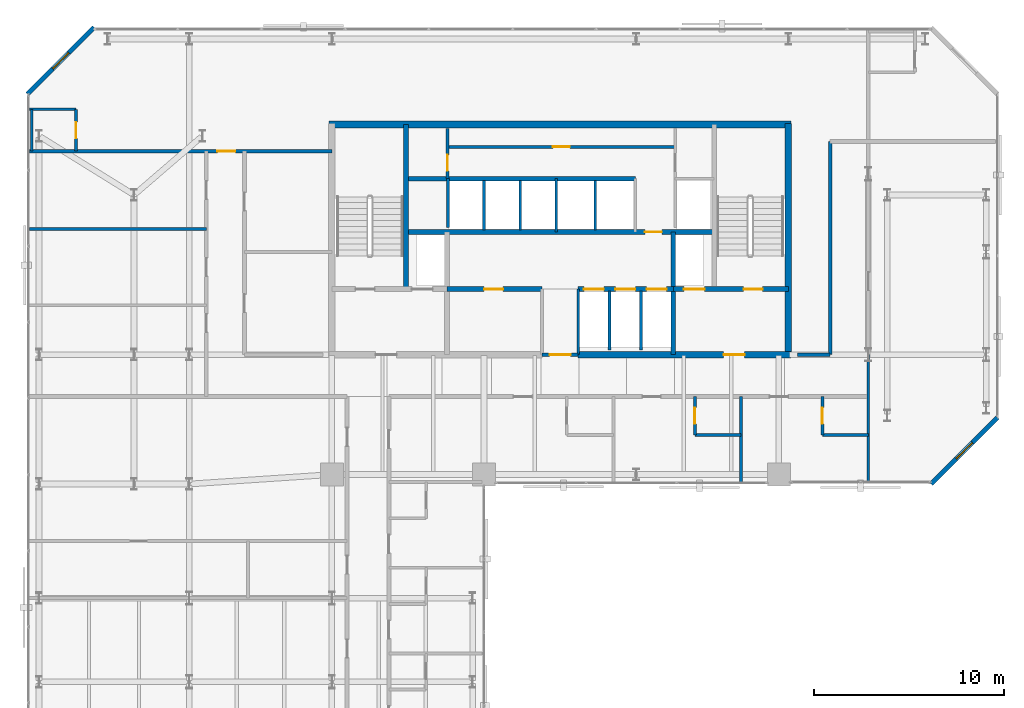
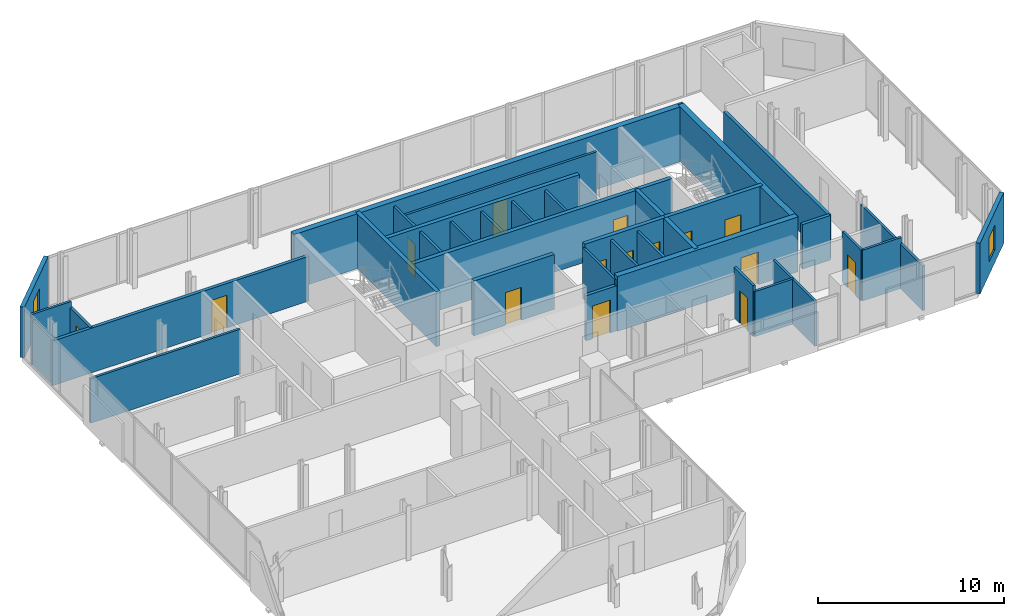
# One storey, part 29 of 32: 36 walls, 15 doors, 2 windows, 17 openings.
"""IFC4 building model written with IfcOpenShell, lengths in metres."""

import ifcopenshell
import ifcopenshell.guid

model = None  # the IFC model being written
_history = None  # IfcOwnerHistory: only IFC2X3 demands one
_inside = {}  # id of a spatial element -> (the spatial element, [elements in it])
_under = {}  # id of a project, library or spatial element -> (it, [spatial elements below it])
_declared = {}  # id of a project -> (the project, [libraries it declares])
_typed = {}  # id of a type object -> (the type object, [elements of that type])
_made_of = {}  # id of a material, layer set ... -> (it, [elements and type objects made of it])


def new_model(schema):
    """Start an empty IFC model of exactly this schema.

    Asked for "IFC4X3", IfcOpenShell would pick the latest addendum, in which some entities
    have other attributes; the version numbers below select the first issue.
    IFC2X3 requires an IfcOwnerHistory on every rooted entity: one is made here for all.
    """
    global model, _history
    if schema == "IFC4X3":
        model = ifcopenshell.file(schema_version=(4, 3, 0, 0))
    else:
        model = ifcopenshell.file(schema=schema)
    _inside.clear()
    _under.clear()
    _declared.clear()
    _typed.clear()
    _made_of.clear()
    _history = None
    if model.schema == "IFC2X3":
        org = make("IfcOrganization", Name="unknown")
        user = make(
            "IfcPersonAndOrganization",
            ThePerson=make("IfcPerson", FamilyName="unknown"),
            TheOrganization=org,
        )
        app = make(
            "IfcApplication",
            ApplicationDeveloper=org,
            Version="unknown",
            ApplicationFullName="unknown",
            ApplicationIdentifier="unknown",
        )
        _history = make(
            "IfcOwnerHistory",
            OwningUser=user,
            OwningApplication=app,
            ChangeAction="ADDED",
            CreationDate=0,
        )
    return model


def make(cls, **values):
    """One entity of the class cls with the attributes given. An attribute that is None is left unset."""
    return model.create_entity(
        cls, **{name: value for name, value in values.items() if value is not None}
    )


def rooted(cls, **values):
    """An entity with a GlobalId (a new one), such as an element, a storey or a relation."""
    return make(cls, GlobalId=ifcopenshell.guid.new(), OwnerHistory=_history, **values)


def si_unit(unit_type, name, prefix=None):
    """IfcSIUnit, for example si_unit("LENGTHUNIT", "METRE", prefix="MILLI")."""
    return make("IfcSIUnit", UnitType=unit_type, Prefix=prefix, Name=name)


def assignment(units):
    """IfcUnitAssignment: the units of a project."""
    return None if units is None else make("IfcUnitAssignment", Units=units)


def point(xyz):
    """IfcCartesianPoint."""
    return None if xyz is None else make("IfcCartesianPoint", Coordinates=xyz)


def direction(xyz):
    """IfcDirection."""
    return None if xyz is None else make("IfcDirection", DirectionRatios=xyz)


def frame(location, z_axis=None, x_axis=None):
    """IfcAxis2Placement3D, a coordinate frame: its origin and axes. An axis left out is left unset."""
    return make(
        "IfcAxis2Placement3D",
        Location=point(location),
        Axis=direction(z_axis),
        RefDirection=direction(x_axis),
    )


def frame_2d(location, x_axis=None):
    """IfcAxis2Placement2D, a coordinate frame in the plane: its origin and x axis."""
    return make(
        "IfcAxis2Placement2D", Location=point(location), RefDirection=direction(x_axis)
    )


def origin():
    """The frame at (0, 0, 0) with its axes left unset."""
    return frame((0.0, 0.0, 0.0))


def place(relative_to, where):
    """IfcLocalPlacement: puts the frame where relative to a parent placement (None: the world)."""
    return make(
        "IfcLocalPlacement", PlacementRelTo=relative_to, RelativePlacement=where
    )


def context(
    kind, dimensions, precision=None, world=None, true_north=None, identifier=None
):
    """IfcGeometricRepresentationContext, for example the 3D "Model" context."""
    return make(
        "IfcGeometricRepresentationContext",
        ContextIdentifier=identifier,
        ContextType=kind,
        CoordinateSpaceDimension=dimensions,
        Precision=precision,
        WorldCoordinateSystem=world,
        TrueNorth=true_north,
    )


def subcontext(parent, identifier, kind, view, scale=None):
    """IfcGeometricRepresentationSubContext, for example "Body" below "Model"."""
    return make(
        "IfcGeometricRepresentationSubContext",
        ContextIdentifier=identifier,
        ContextType=kind,
        ParentContext=parent,
        TargetScale=scale,
        TargetView=view,
    )


def project(units=None, contexts=None):
    """IfcProject with its units and contexts."""
    return rooted(
        "IfcProject",
        Name="project",
        RepresentationContexts=contexts,
        UnitsInContext=assignment(units),
    )


def spatial(cls, under=None, at=None, **own):
    """A site, building, storey or space (cls), placed at a placement, below another one or the project."""
    s = rooted(cls, ObjectPlacement=at, **own)
    if under is not None:
        _under.setdefault(under.id(), (under, []))[1].append(s)
    return s


def profile(cls, at=None, kind="AREA", **sizes):
    """A parametric profile (cls). Its sizes go by their IFC names, for example OverallWidth=200.0."""
    return make(cls, ProfileType=kind, Position=at, **sizes)


def rectangle(**sizes):
    """IfcRectangleProfileDef."""
    return profile("IfcRectangleProfileDef", **sizes)


def extrude(swept, where, along, depth):
    """IfcExtrudedAreaSolid: the profile swept, set in the frame where, extruded along a direction by depth."""
    return make(
        "IfcExtrudedAreaSolid",
        SweptArea=swept,
        Position=where,
        ExtrudedDirection=direction(along),
        Depth=depth,
    )


def shape(context_of_items, identifier, shape_type, items):
    """IfcShapeRepresentation: the items that make up one representation, for example the "Body"."""
    return make(
        "IfcShapeRepresentation",
        ContextOfItems=context_of_items,
        RepresentationIdentifier=identifier,
        RepresentationType=shape_type,
        Items=items,
    )


def material(Name=None, Category=None):
    """IfcMaterial."""
    return make("IfcMaterial", Name=Name, Category=Category)


def layer(
    of_material, thickness, ventilated=None, Name=None, Category=None, Priority=None
):
    """IfcMaterialLayer: one layer of a wall or slab, of a material (None: an air gap)."""
    return make(
        "IfcMaterialLayer",
        Material=of_material,
        LayerThickness=thickness,
        IsVentilated=ventilated,
        Name=Name,
        Category=Category,
        Priority=Priority,
    )


def layer_set(layers, Name=None):
    """IfcMaterialLayerSet."""
    return make("IfcMaterialLayerSet", MaterialLayers=layers, LayerSetName=Name)


def made_of(thing, what):
    """Note that an element or type object is made of a material, layer set ...; save() writes the relation."""
    if what is not None:
        _made_of.setdefault(what.id(), (what, []))[1].append(thing)
    return thing


def type_object(cls, material=None, **own):
    """A type object (cls), such as IfcWallType, which elements share."""
    return made_of(rooted(cls, **own), material)


def element(
    cls,
    number,
    at=None,
    inside=None,
    cuts=None,
    type_object=None,
    material=None,
    context=None,
    identifier="Body",
    shape_type=None,
    held_by="IfcProductDefinitionShape",
    body=None,
    shapes=None,
    **own,
):
    """One element of the class cls, such as IfcWall. Its Tag is "e" and its number.

    at: its placement. inside: the storey or other place that contains it. cuts: it is an
    opening in that element (IfcRelVoidsElement). A single representation is given by context,
    identifier, shape_type and body (its items); several are given by shapes. held_by: the class
    of the entity that holds the representations. save() writes the other relations.
    """
    e = rooted(cls, Tag="e%d" % number, ObjectPlacement=at, **own)
    if body is not None:
        shapes = [shape(context, identifier, shape_type, body)]
    if shapes is not None:
        e.Representation = make(held_by, Representations=shapes)
    if inside is not None:
        _inside.setdefault(inside.id(), (inside, []))[1].append(e)
    if cuts is not None:
        rooted(
            "IfcRelVoidsElement", RelatingBuildingElement=cuts, RelatedOpeningElement=e
        )
    if type_object is not None:
        _typed.setdefault(type_object.id(), (type_object, []))[1].append(e)
    return made_of(e, material)


def fill(opening, filler):
    """IfcRelFillsElement: the door or window that sits in an opening."""
    return rooted(
        "IfcRelFillsElement",
        RelatingOpeningElement=opening,
        RelatedBuildingElement=filler,
    )


def aggregate(whole, parts):
    """IfcRelAggregates: a whole, such as a stair, and the parts it consists of."""
    return rooted("IfcRelAggregates", RelatingObject=whole, RelatedObjects=parts)


def save(model, path):
    """Write the relations noted so far, then the file.

    IfcRelAggregates (storeys below a building ...), IfcRelContainedInSpatialStructure (elements
    in a storey), IfcRelDefinesByType, IfcRelAssociatesMaterial and IfcRelDeclares: one each for
    every whole, place, type object, material and project.
    """
    for whole, parts in _under.values():
        aggregate(whole, parts)
    for where, things in _inside.values():
        rooted(
            "IfcRelContainedInSpatialStructure",
            RelatedElements=things,
            RelatingStructure=where,
        )
    for kind, things in _typed.values():
        rooted("IfcRelDefinesByType", RelatedObjects=things, RelatingType=kind)
    for what, things in _made_of.values():
        rooted("IfcRelAssociatesMaterial", RelatedObjects=things, RelatingMaterial=what)
    for by, libraries in _declared.values():
        rooted("IfcRelDeclares", RelatingContext=by, RelatedDefinitions=libraries)
    model.write(path)


model = new_model("IFC4")

# Units and contexts
model_context = context("Model", 3, precision=1e-05, world=origin(), true_north=direction((0.0, 1.0)))
body_context = subcontext(model_context, "Body", "Model", "MODEL_VIEW")
ifc_project = project(units=[si_unit("LENGTHUNIT", "METRE"), si_unit("AREAUNIT", "SQUARE_METRE"), si_unit("VOLUMEUNIT", "CUBIC_METRE"), si_unit("PLANEANGLEUNIT", "RADIAN"), si_unit("MASSUNIT", "GRAM", prefix="KILO")], contexts=[model_context])

# Site, building, storey
site_placement = place(None, origin())
site = spatial("IfcSite", under=ifc_project, at=site_placement, CompositionType="ELEMENT")
building_placement = place(site_placement, origin())
building = spatial("IfcBuilding", under=site, at=building_placement, Name="Catumbela Crestline Tower", CompositionType="ELEMENT")
storey_placement = place(building_placement, frame((0.0, 0.0, 136.8)))
storey = spatial("IfcBuildingStorey", under=building, at=storey_placement, Name="L35", CompositionType="ELEMENT", Elevation=136.8)

# Walls
ifc_material_1 = material(Name="Concrete C50/60", Category="concrete")
ifc_layer_1 = layer(ifc_material_1, 0.25, Name="Concrete C50/60")
ifc_layer_set_1 = layer_set([ifc_layer_1], Name="Concrete C50/60")
wall_type_1 = type_object("IfcWallType", Name="CW-250D", PredefinedType="SHEAR", material=ifc_layer_set_1)
wall_1_placement = place(storey_placement, frame((19.9, 34.25, 0.0), z_axis=(0.0, 0.0, 1.0), x_axis=(0.0, 1.0, 0.0)))
element("IfcWall", 1, at=wall_1_placement, inside=storey, type_object=wall_type_1, Name="L35 Structural Core Shear Wall WWEB", PredefinedType="SHEAR", context=body_context, shape_type="SweptSolid", body=[
    extrude(rectangle(XDim=8.65, YDim=0.25, at=frame_2d((4.325, 0.0))), origin(), (0.0, 0.0, 1.0), 3.6),
])
wall_2_placement = place(storey_placement, frame((33.95, 30.8, 0.0), z_axis=(0.0, 0.0, 1.0), x_axis=(0.0, 1.0, 0.0)))
element("IfcWall", 2, at=wall_2_placement, inside=storey, type_object=wall_type_1, Name="L35 Structural Core Shear Wall FFE", PredefinedType="SHEAR", context=body_context, shape_type="SweptSolid", body=[
    extrude(rectangle(XDim=6.45, YDim=0.25, at=frame_2d((3.225, 0.0))), origin(), (0.0, 0.0, 1.0), 3.6),
])

# Wall, openings, doors
wall_3_placement = place(storey_placement, frame((33.95, 34.25, 0.0), z_axis=(0.0, 0.0, 1.0), x_axis=(1.0, 0.0, 0.0)))
wall_3 = element("IfcWall", 3, at=wall_3_placement, inside=storey, type_object=wall_type_1, Name="L35 Structural Core Shear Wall ST2S", PredefinedType="SHEAR", context=body_context, shape_type="SweptSolid", body=[
    extrude(rectangle(XDim=6.05, YDim=0.25, at=frame_2d((3.025, 0.0))), origin(), (0.0, 0.0, 1.0), 3.6),
])
opening_1_placement = place(wall_3_placement, frame((3.7, 0.0, 0.0)))
opening_1 = element("IfcOpeningElement", 4, at=opening_1_placement, cuts=wall_3, Name="Opening DF9-100", PredefinedType="OPENING", context=body_context, shape_type="SweptSolid", body=[
    extrude(rectangle(XDim=1.0, YDim=2.15, at=frame_2d((0.5, 1.075))), frame((0.0, 0.135, 0.0), z_axis=(0.0, -1.0, 0.0), x_axis=(1.0, 0.0, 0.0)), (0.0, 0.0, 1.0), 0.27),
])
opening_2_placement = place(wall_3_placement, frame((0.55, 0.0, 0.0)))
opening_2 = element("IfcOpeningElement", 5, at=opening_2_placement, cuts=wall_3, Name="Opening LD-110", PredefinedType="OPENING", context=body_context, shape_type="SweptSolid", body=[
    extrude(rectangle(XDim=1.1, YDim=2.15, at=frame_2d((0.55, 1.075))), frame((0.0, 0.135, 0.0), z_axis=(0.0, -1.0, 0.0), x_axis=(1.0, 0.0, 0.0)), (0.0, 0.0, 1.0), 0.27),
])
ifc_material_2 = material(Name="Stainless steel EN 1.4401", Category="steel")
door_type_1 = type_object("IfcDoorType", Name="DF9-100", OperationType="NOTDEFINED", PredefinedType="DOOR", material=ifc_material_2)
door_1_placement = place(opening_1_placement, origin())
door_1 = element("IfcDoor", 6, at=door_1_placement, inside=storey, type_object=door_type_1, Name="L35 Interior Door DR-L35-ST02", OperationType="SINGLE_SWING_RIGHT", OverallHeight=2.15, OverallWidth=1.0, PredefinedType="DOOR", context=body_context, shape_type="SweptSolid", body=[
    extrude(rectangle(XDim=1.0, YDim=2.15, at=frame_2d((0.5, 1.075))), frame((0.0, 0.025, 0.0), z_axis=(0.0, -1.0, 0.0), x_axis=(1.0, 0.0, 0.0)), (0.0, 0.0, 1.0), 0.05),
])
fill(opening_1, door_1)
door_type_2 = type_object("IfcDoorType", Name="LD-110", OperationType="NOTDEFINED", PredefinedType="DOOR", material=ifc_material_2)
door_2_placement = place(opening_2_placement, origin())
door_2 = element("IfcDoor", 7, at=door_2_placement, inside=storey, type_object=door_type_2, Name="L35 Lift Landing Sliding Door FL-02", OperationType="DOUBLE_DOOR_SLIDING", OverallHeight=2.15, OverallWidth=1.1, PredefinedType="DOOR", context=body_context, shape_type="SweptSolid", body=[
    extrude(rectangle(XDim=1.1, YDim=2.15, at=frame_2d((0.55, 1.075))), frame((0.0, 0.025, 0.0), z_axis=(0.0, -1.0, 0.0), x_axis=(1.0, 0.0, 0.0)), (0.0, 0.0, 1.0), 0.05),
])
fill(opening_2, door_2)

# Wall, opening, door
wall_4_placement = place(storey_placement, frame((22.05, 34.25, 0.0), z_axis=(0.0, 0.0, 1.0), x_axis=(1.0, 0.0, 0.0)))
wall_4 = element("IfcWall", 8, at=wall_4_placement, inside=storey, type_object=wall_type_1, Name="L35 Structural Core Shear Wall LIFTS-W", PredefinedType="SHEAR", context=body_context, shape_type="SweptSolid", body=[
    extrude(rectangle(XDim=5.0, YDim=0.25, at=frame_2d((2.5, 0.0))), origin(), (0.0, 0.0, 1.0), 3.6),
])
opening_3_placement = place(wall_4_placement, frame((1.95, 0.0, 0.0)))
opening_3 = element("IfcOpeningElement", 9, at=opening_3_placement, cuts=wall_4, Name="Opening DF9-100", PredefinedType="OPENING", context=body_context, shape_type="SweptSolid", body=[
    extrude(rectangle(XDim=1.0, YDim=2.15, at=frame_2d((0.5, 1.075))), frame((0.0, 0.135, 0.0), z_axis=(0.0, -1.0, 0.0), x_axis=(1.0, 0.0, 0.0)), (0.0, 0.0, 1.0), 0.27),
])
door_3_placement = place(opening_3_placement, origin())
door_3 = element("IfcDoor", 10, at=door_3_placement, inside=storey, type_object=door_type_1, Name="L35 Interior Door DR-L35-RECL1", OperationType="SINGLE_SWING_LEFT", OverallHeight=2.15, OverallWidth=1.0, PredefinedType="DOOR", context=body_context, shape_type="SweptSolid", body=[
    extrude(rectangle(XDim=1.0, YDim=2.15, at=frame_2d((0.5, 1.075))), frame((0.0, 0.025, 0.0), z_axis=(0.0, -1.0, 0.0), x_axis=(1.0, 0.0, 0.0)), (0.0, 0.0, 1.0), 0.05),
])
fill(opening_3, door_3)

# Wall, openings, doors
wall_5_placement = place(storey_placement, frame((28.95, 34.25, 0.0), z_axis=(0.0, 0.0, 1.0), x_axis=(1.0, 0.0, 0.0)))
wall_5 = element("IfcWall", 11, at=wall_5_placement, inside=storey, type_object=wall_type_1, Name="L35 Structural Core Shear Wall LIFTS-E", PredefinedType="SHEAR", context=body_context, shape_type="SweptSolid", body=[
    extrude(rectangle(XDim=5.0, YDim=0.25, at=frame_2d((2.5, 0.0))), origin(), (0.0, 0.0, 1.0), 3.6),
])
opening_4_placement = place(wall_5_placement, frame((0.3, 0.0, 0.0)))
opening_4 = element("IfcOpeningElement", 12, at=opening_4_placement, cuts=wall_5, Name="Opening LD-105", PredefinedType="OPENING", context=body_context, shape_type="SweptSolid", body=[
    extrude(rectangle(XDim=1.05, YDim=2.15, at=frame_2d((0.525, 1.075))), frame((0.0, 0.135, 0.0), z_axis=(0.0, -1.0, 0.0), x_axis=(1.0, 0.0, 0.0)), (0.0, 0.0, 1.0), 0.27),
])
opening_5_placement = place(wall_5_placement, frame((1.95, 0.0, 0.0)))
opening_5 = element("IfcOpeningElement", 13, at=opening_5_placement, cuts=wall_5, Name="Opening LD-105", PredefinedType="OPENING", context=body_context, shape_type="SweptSolid", body=[
    extrude(rectangle(XDim=1.05, YDim=2.15, at=frame_2d((0.525, 1.075))), frame((0.0, 0.135, 0.0), z_axis=(0.0, -1.0, 0.0), x_axis=(1.0, 0.0, 0.0)), (0.0, 0.0, 1.0), 0.27),
])
opening_6_placement = place(wall_5_placement, frame((3.6, 0.0, 0.0)))
opening_6 = element("IfcOpeningElement", 14, at=opening_6_placement, cuts=wall_5, Name="Opening LD-105", PredefinedType="OPENING", context=body_context, shape_type="SweptSolid", body=[
    extrude(rectangle(XDim=1.05, YDim=2.15, at=frame_2d((0.525, 1.075))), frame((0.0, 0.135, 0.0), z_axis=(0.0, -1.0, 0.0), x_axis=(1.0, 0.0, 0.0)), (0.0, 0.0, 1.0), 0.27),
])
door_type_3 = type_object("IfcDoorType", Name="LD-105", OperationType="NOTDEFINED", PredefinedType="DOOR", material=ifc_material_2)
door_4_placement = place(opening_4_placement, origin())
door_4 = element("IfcDoor", 15, at=door_4_placement, inside=storey, type_object=door_type_3, Name="L35 Lift Landing Sliding Door PL-M1", OperationType="DOUBLE_DOOR_SLIDING", OverallHeight=2.15, OverallWidth=1.05, PredefinedType="DOOR", context=body_context, shape_type="SweptSolid", body=[
    extrude(rectangle(XDim=1.05, YDim=2.15, at=frame_2d((0.525, 1.075))), frame((0.0, 0.025, 0.0), z_axis=(0.0, -1.0, 0.0), x_axis=(1.0, 0.0, 0.0)), (0.0, 0.0, 1.0), 0.05),
])
fill(opening_4, door_4)
door_5_placement = place(opening_5_placement, origin())
door_5 = element("IfcDoor", 16, at=door_5_placement, inside=storey, type_object=door_type_3, Name="L35 Lift Landing Sliding Door PL-M2", OperationType="DOUBLE_DOOR_SLIDING", OverallHeight=2.15, OverallWidth=1.05, PredefinedType="DOOR", context=body_context, shape_type="SweptSolid", body=[
    extrude(rectangle(XDim=1.05, YDim=2.15, at=frame_2d((0.525, 1.075))), frame((0.0, 0.025, 0.0), z_axis=(0.0, -1.0, 0.0), x_axis=(1.0, 0.0, 0.0)), (0.0, 0.0, 1.0), 0.05),
])
fill(opening_5, door_5)
door_6_placement = place(opening_6_placement, origin())
door_6 = element("IfcDoor", 17, at=door_6_placement, inside=storey, type_object=door_type_3, Name="L35 Lift Landing Sliding Door PL-M3", OperationType="DOUBLE_DOOR_SLIDING", OverallHeight=2.15, OverallWidth=1.05, PredefinedType="DOOR", context=body_context, shape_type="SweptSolid", body=[
    extrude(rectangle(XDim=1.05, YDim=2.15, at=frame_2d((0.525, 1.075))), frame((0.0, 0.025, 0.0), z_axis=(0.0, -1.0, 0.0), x_axis=(1.0, 0.0, 0.0)), (0.0, 0.0, 1.0), 0.05),
])
fill(opening_6, door_6)

# Wall, opening, door
wall_6_placement = place(storey_placement, frame((19.9, 37.25, 0.0), z_axis=(0.0, 0.0, 1.0), x_axis=(1.0, 0.0, 0.0)))
wall_6 = element("IfcWall", 18, at=wall_6_placement, inside=storey, type_object=wall_type_1, Name="L35 Structural Core Shear Wall LIFTN", PredefinedType="SHEAR", context=body_context, shape_type="SweptSolid", body=[
    extrude(rectangle(XDim=16.2, YDim=0.25, at=frame_2d((8.1, 0.0))), origin(), (0.0, 0.0, 1.0), 3.6),
])
opening_7_placement = place(wall_6_placement, frame((12.55, 0.0, 0.0)))
opening_7 = element("IfcOpeningElement", 19, at=opening_7_placement, cuts=wall_6, Name="Opening DF9-090", PredefinedType="OPENING", context=body_context, shape_type="SweptSolid", body=[
    extrude(rectangle(XDim=0.9, YDim=2.15, at=frame_2d((0.45, 1.075))), frame((0.0, 0.135, 0.0), z_axis=(0.0, -1.0, 0.0), x_axis=(1.0, 0.0, 0.0)), (0.0, 0.0, 1.0), 0.27),
])
door_type_4 = type_object("IfcDoorType", Name="DF9-090", OperationType="NOTDEFINED", PredefinedType="DOOR", material=ifc_material_2)
door_7_placement = place(opening_7_placement, origin())
door_7 = element("IfcDoor", 20, at=door_7_placement, inside=storey, type_object=door_type_4, Name="L35 Interior Door DR-L35-CPAS1", OperationType="SINGLE_SWING_LEFT", OverallHeight=2.15, OverallWidth=0.9, PredefinedType="DOOR", context=body_context, shape_type="SweptSolid", body=[
    extrude(rectangle(XDim=0.9, YDim=2.15, at=frame_2d((0.45, 1.075))), frame((0.0, 0.025, 0.0), z_axis=(0.0, -1.0, 0.0), x_axis=(1.0, 0.0, 0.0)), (0.0, 0.0, 1.0), 0.05),
])
fill(opening_7, door_7)

# Walls
wall_7_placement = place(storey_placement, frame((19.9, 40.05, 0.0), z_axis=(0.0, 0.0, 1.0), x_axis=(1.0, 0.0, 0.0)))
element("IfcWall", 21, at=wall_7_placement, inside=storey, type_object=wall_type_1, Name="L35 Structural Core Shear Wall COREN", PredefinedType="SHEAR", context=body_context, shape_type="SweptSolid", body=[
    extrude(rectangle(XDim=12.05, YDim=0.25, at=frame_2d((6.025, 0.0))), origin(), (0.0, 0.0, 1.0), 3.6),
])
ifc_layer_2 = layer(ifc_material_1, 0.35, Name="Concrete C50/60")
ifc_layer_set_2 = layer_set([ifc_layer_2], Name="Concrete C50/60")
wall_type_2 = type_object("IfcWallType", Name="CW-350B", PredefinedType="SHEAR", material=ifc_layer_set_2)
wall_8_placement = place(storey_placement, frame((40.0, 30.65, 0.0), z_axis=(0.0, 0.0, 1.0), x_axis=(0.0, 1.0, 0.0)))
element("IfcWall", 22, at=wall_8_placement, inside=storey, type_object=wall_type_2, Name="L35 Structural Core Shear Wall E", PredefinedType="SHEAR", context=body_context, shape_type="SweptSolid", body=[
    extrude(rectangle(XDim=12.3, YDim=0.35, at=frame_2d((6.15, 0.0))), origin(), (0.0, 0.0, 1.0), 3.6),
])
wall_9_placement = place(storey_placement, frame((15.85, 42.9, 0.0), z_axis=(0.0, 0.0, 1.0), x_axis=(1.0, 0.0, 0.0)))
element("IfcWall", 23, at=wall_9_placement, inside=storey, type_object=wall_type_2, Name="L35 Structural Core Shear Wall N", PredefinedType="SHEAR", context=body_context, shape_type="SweptSolid", body=[
    extrude(rectangle(XDim=24.3, YDim=0.35, at=frame_2d((12.15, 0.0))), origin(), (0.0, 0.0, 1.0), 3.6),
])

# Wall, opening, door
wall_10_placement = place(storey_placement, frame((28.95, 30.8, 0.0), z_axis=(0.0, 0.0, 1.0), x_axis=(1.0, 0.0, 0.0)))
wall_10 = element("IfcWall", 24, at=wall_10_placement, inside=storey, type_object=wall_type_2, Name="L35 Structural Core Shear Wall SE", PredefinedType="SHEAR", context=body_context, shape_type="SweptSolid", body=[
    extrude(rectangle(XDim=11.2, YDim=0.35, at=frame_2d((5.6, 0.0))), origin(), (0.0, 0.0, 1.0), 3.6),
])
opening_8_placement = place(wall_10_placement, frame((7.65, 0.0, 0.0)))
opening_8 = element("IfcOpeningElement", 25, at=opening_8_placement, cuts=wall_10, Name="Opening DF9-110", PredefinedType="OPENING", context=body_context, shape_type="SweptSolid", body=[
    extrude(rectangle(XDim=1.1, YDim=2.15, at=frame_2d((0.55, 1.075))), frame((0.0, 0.185, 0.0), z_axis=(0.0, -1.0, 0.0), x_axis=(1.0, 0.0, 0.0)), (0.0, 0.0, 1.0), 0.37),
])
door_type_5 = type_object("IfcDoorType", Name="DF9-110", OperationType="NOTDEFINED", PredefinedType="DOOR", material=ifc_material_2)
door_8_placement = place(opening_8_placement, origin())
door_8 = element("IfcDoor", 26, at=door_8_placement, inside=storey, type_object=door_type_5, Name="L35 Interior Door DR-L35-FFE-S", OperationType="SINGLE_SWING_RIGHT", OverallHeight=2.15, OverallWidth=1.1, PredefinedType="DOOR", context=body_context, shape_type="SweptSolid", body=[
    extrude(rectangle(XDim=1.1, YDim=2.15, at=frame_2d((0.55, 1.075))), frame((0.0, 0.025, 0.0), z_axis=(0.0, -1.0, 0.0), x_axis=(1.0, 0.0, 0.0)), (0.0, 0.0, 1.0), 0.05),
])
fill(opening_8, door_8)

ifc_material_3 = material(Name="Acoustic gypsum and mineral-wool partition")
ifc_layer_3 = layer(ifc_material_3, 0.2, Name="Acoustic gypsum and mineral-wool partition")
ifc_layer_set_3 = layer_set([ifc_layer_3], Name="Acoustic gypsum and mineral-wool partition")
wall_type_3 = type_object("IfcWallType", Name="WC-200", PredefinedType="PARTITIONING", material=ifc_layer_set_3)
wall_11_placement = place(storey_placement, frame((27.05, 30.8, 0.0), z_axis=(0.0, 0.0, 1.0), x_axis=(1.0, 0.0, 0.0)))
wall_11 = element("IfcWall", 27, at=wall_11_placement, inside=storey, type_object=wall_type_3, Name="L35 Interior Partition PW-L35-CLOBS", PredefinedType="PARTITIONING", context=body_context, shape_type="SweptSolid", body=[
    extrude(rectangle(XDim=1.9, YDim=0.2, at=frame_2d((0.95, 0.0))), origin(), (0.0, 0.0, 1.0), 2.96),
])
opening_9_placement = place(wall_11_placement, frame((0.4, 0.0, 0.0)))
opening_9 = element("IfcOpeningElement", 28, at=opening_9_placement, cuts=wall_11, Name="Opening DF9-110", PredefinedType="OPENING", context=body_context, shape_type="SweptSolid", body=[
    extrude(rectangle(XDim=1.1, YDim=2.15, at=frame_2d((0.55, 1.075))), frame((0.0, 0.11, 0.0), z_axis=(0.0, -1.0, 0.0), x_axis=(1.0, 0.0, 0.0)), (0.0, 0.0, 1.0), 0.22),
])
door_9_placement = place(opening_9_placement, origin())
door_9 = element("IfcDoor", 29, at=door_9_placement, inside=storey, type_object=door_type_5, Name="L35 Interior Door DR-L35-CLOBS", OperationType="SINGLE_SWING_LEFT", OverallHeight=2.15, OverallWidth=1.1, PredefinedType="DOOR", context=body_context, shape_type="SweptSolid", body=[
    extrude(rectangle(XDim=1.1, YDim=2.15, at=frame_2d((0.55, 1.075))), frame((0.0, 0.025, 0.0), z_axis=(0.0, -1.0, 0.0), x_axis=(1.0, 0.0, 0.0)), (0.0, 0.0, 1.0), 0.05),
])
fill(opening_9, door_9)

# Walls
wall_12_placement = place(storey_placement, frame((40.47, 30.8, 0.0), z_axis=(0.0, 0.0, 1.0), x_axis=(1.0, 0.0, 0.0)))
element("IfcWall", 30, at=wall_12_placement, inside=storey, type_object=wall_type_3, Name="L35 Interior Partition PW-L35-Z2CW-E1", PredefinedType="PARTITIONING", context=body_context, shape_type="SweptSolid", body=[
    extrude(rectangle(XDim=1.73, YDim=0.2, at=frame_2d((0.865, 0.0))), origin(), (0.0, 0.0, 1.0), 2.93),
])
wall_13_placement = place(storey_placement, frame((42.2, 30.8, 0.0), z_axis=(0.0, 0.0, 1.0), x_axis=(0.0, 1.0, 0.0)))
element("IfcWall", 31, at=wall_13_placement, inside=storey, type_object=wall_type_3, Name="L35 Interior Partition PW-L35-Z2CW-E2", PredefinedType="PARTITIONING", context=body_context, shape_type="SweptSolid", body=[
    extrude(rectangle(XDim=11.2, YDim=0.2, at=frame_2d((5.6, 0.0))), origin(), (0.0, 0.0, 1.0), 2.93),
])

# Wall, opening, door
wall_14_placement = place(storey_placement, frame((0.1, 41.5, 0.0), z_axis=(0.0, 0.0, 1.0), x_axis=(1.0, 0.0, 0.0)))
wall_14 = element("IfcWall", 32, at=wall_14_placement, inside=storey, type_object=wall_type_3, Name="L35 Interior Partition PW-L35-Z2NWT-ENT", PredefinedType="PARTITIONING", context=body_context, shape_type="SweptSolid", body=[
    extrude(rectangle(XDim=15.9, YDim=0.2, at=frame_2d((7.95, 0.0))), origin(), (0.0, 0.0, 1.0), 2.93),
])
opening_10_placement = place(wall_14_placement, frame((9.8771, 0.0, 0.0)))
opening_10 = element("IfcOpeningElement", 33, at=opening_10_placement, cuts=wall_14, Name="Opening DF6-095", PredefinedType="OPENING", context=body_context, shape_type="SweptSolid", body=[
    extrude(rectangle(XDim=0.95, YDim=2.15, at=frame_2d((0.475, 1.075))), frame((0.0, 0.11, 0.0), z_axis=(0.0, -1.0, 0.0), x_axis=(1.0, 0.0, 0.0)), (0.0, 0.0, 1.0), 0.22),
])
ifc_material_4 = material(Name="Aluminium alloy AW-6060-T66", Category="aluminium")
door_type_6 = type_object("IfcDoorType", Name="DF6-095", OperationType="NOTDEFINED", PredefinedType="DOOR", material=ifc_material_4)
door_10_placement = place(opening_10_placement, origin())
door_10 = element("IfcDoor", 34, at=door_10_placement, inside=storey, type_object=door_type_6, Name="L35 Interior Door DR-L35-Z2NWT-ENT", OperationType="SINGLE_SWING_RIGHT", OverallHeight=2.15, OverallWidth=0.95, PredefinedType="DOOR", context=body_context, shape_type="SweptSolid", body=[
    extrude(rectangle(XDim=0.95, YDim=2.15, at=frame_2d((0.475, 1.075))), frame((0.0, 0.025, 0.0), z_axis=(0.0, -1.0, 0.0), x_axis=(1.0, 0.0, 0.0)), (0.0, 0.0, 1.0), 0.05),
])
fill(opening_10, door_10)

# Wall, opening, window
ifc_material_5 = material(Name="Angolan grey-ochre granite", Category="masonry")
ifc_layer_4 = layer(ifc_material_5, 0.25, Name="Angolan grey-ochre granite")
ifc_layer_set_4 = layer_set([ifc_layer_4], Name="Angolan grey-ochre granite")
wall_type_4 = type_object("IfcWallType", Name="WE-250", PredefinedType="STANDARD", material=ifc_layer_set_4)
wall_15_placement = place(storey_placement, frame((47.5, 24.0, 0.0), z_axis=(0.0, 0.0, 1.0), x_axis=(0.707106781187, 0.707106781187, 0.0)))
wall_15 = element("IfcWall", 35, at=wall_15_placement, inside=storey, type_object=wall_type_4, Name="L35 Granite Punched Window Wall 4-1", PredefinedType="STANDARD", context=body_context, shape_type="SweptSolid", body=[
    extrude(rectangle(XDim=4.9497, YDim=0.25, at=frame_2d((2.4748, 0.0))), origin(), (0.0, 0.0, 1.0), 3.33),
])
opening_11_placement = place(wall_15_placement, frame((1.8748, 0.0, 0.85)))
opening_11 = element("IfcOpeningElement", 36, at=opening_11_placement, cuts=wall_15, Name="Opening WN-02", PredefinedType="OPENING", context=body_context, shape_type="SweptSolid", body=[
    extrude(rectangle(XDim=1.2, YDim=1.6, at=frame_2d((0.6, 0.8))), frame((0.0, 0.135, 0.0), z_axis=(0.0, -1.0, 0.0), x_axis=(1.0, 0.0, 0.0)), (0.0, 0.0, 1.0), 0.27),
])
ifc_material_6 = material(Name="Low-E laminated solar-control double glazing", Category="glass")
window_type = type_object("IfcWindowType", Name="WO-1200", PartitioningType="SINGLE_PANEL", PredefinedType="WINDOW", material=ifc_material_6)
window_1_placement = place(opening_11_placement, origin())
window_1 = element("IfcWindow", 37, at=window_1_placement, inside=storey, type_object=window_type, Name="L35 Facade Vision Window 196", OverallHeight=1.6, OverallWidth=1.2, PartitioningType="SINGLE_PANEL", PredefinedType="WINDOW", context=body_context, shape_type="SweptSolid", body=[
    extrude(rectangle(XDim=1.2, YDim=1.6, at=frame_2d((0.6, 0.8))), frame((0.0, 0.03, 0.0), z_axis=(0.0, -1.0, 0.0), x_axis=(1.0, 0.0, 0.0)), (0.0, 0.0, 1.0), 0.06),
])
fill(opening_11, window_1)

wall_16_placement = place(storey_placement, frame((3.5, 48.0, 0.0), z_axis=(0.0, 0.0, 1.0), x_axis=(-0.707106781187, -0.707106781187, 0.0)))
wall_16 = element("IfcWall", 38, at=wall_16_placement, inside=storey, type_object=wall_type_4, Name="L35 Granite Punched Window Wall 8-1", PredefinedType="STANDARD", context=body_context, shape_type="SweptSolid", body=[
    extrude(rectangle(XDim=4.9497, YDim=0.25, at=frame_2d((2.4748, 0.0))), origin(), (0.0, 0.0, 1.0), 3.33),
])
opening_12_placement = place(wall_16_placement, frame((1.8748, 0.0, 0.85)))
opening_12 = element("IfcOpeningElement", 39, at=opening_12_placement, cuts=wall_16, Name="Opening WN-02", PredefinedType="OPENING", context=body_context, shape_type="SweptSolid", body=[
    extrude(rectangle(XDim=1.2, YDim=1.6, at=frame_2d((0.6, 0.8))), frame((0.0, 0.135, 0.0), z_axis=(0.0, -1.0, 0.0), x_axis=(1.0, 0.0, 0.0)), (0.0, 0.0, 1.0), 0.27),
])
window_2_placement = place(opening_12_placement, origin())
window_2 = element("IfcWindow", 40, at=window_2_placement, inside=storey, type_object=window_type, Name="L35 Facade Vision Window 198", OverallHeight=1.6, OverallWidth=1.2, PartitioningType="SINGLE_PANEL", PredefinedType="WINDOW", context=body_context, shape_type="SweptSolid", body=[
    extrude(rectangle(XDim=1.2, YDim=1.6, at=frame_2d((0.6, 0.8))), frame((0.0, 0.03, 0.0), z_axis=(0.0, -1.0, 0.0), x_axis=(1.0, 0.0, 0.0)), (0.0, 0.0, 1.0), 0.06),
])
fill(opening_12, window_2)

# Wall, opening, door
ifc_layer_5 = layer(ifc_material_3, 0.15, Name="Acoustic gypsum and mineral-wool partition")
ifc_layer_set_5 = layer_set([ifc_layer_5], Name="Acoustic gypsum and mineral-wool partition")
wall_type_5 = type_object("IfcWallType", Name="WP-150", PredefinedType="PARTITIONING", material=ifc_layer_set_5)
wall_17_placement = place(storey_placement, frame((22.08, 40.05, 0.0), z_axis=(0.0, 0.0, 1.0), x_axis=(0.0, 1.0, 0.0)))
wall_17 = element("IfcWall", 41, at=wall_17_placement, inside=storey, type_object=wall_type_5, Name="L35 Interior Partition PW-L35-CR-WCW", PredefinedType="PARTITIONING", context=body_context, shape_type="SweptSolid", body=[
    extrude(rectangle(XDim=2.63, YDim=0.15, at=frame_2d((1.315, 0.0))), origin(), (0.0, 0.0, 1.0), 3.33),
])
opening_13_placement = place(wall_17_placement, frame((0.41, 0.0, 0.0)))
opening_13 = element("IfcOpeningElement", 42, at=opening_13_placement, cuts=wall_17, Name="Opening DI-085", PredefinedType="OPENING", context=body_context, shape_type="SweptSolid", body=[
    extrude(rectangle(XDim=0.85, YDim=2.15, at=frame_2d((0.425, 1.075))), frame((0.0, 0.085, 0.0), z_axis=(0.0, -1.0, 0.0), x_axis=(1.0, 0.0, 0.0)), (0.0, 0.0, 1.0), 0.17),
])
door_type_7 = type_object("IfcDoorType", Name="DI-085", OperationType="NOTDEFINED", PredefinedType="DOOR", material=ifc_material_4)
door_11_placement = place(opening_13_placement, origin())
door_11 = element("IfcDoor", 43, at=door_11_placement, inside=storey, type_object=door_type_7, Name="L35 Interior Door DR-L35-CRWC", OperationType="SINGLE_SWING_LEFT", OverallHeight=2.15, OverallWidth=0.85, PredefinedType="DOOR", context=body_context, shape_type="SweptSolid", body=[
    extrude(rectangle(XDim=0.85, YDim=2.15, at=frame_2d((0.425, 1.075))), frame((0.0, 0.025, 0.0), z_axis=(0.0, -1.0, 0.0), x_axis=(1.0, 0.0, 0.0)), (0.0, 0.0, 1.0), 0.05),
])
fill(opening_13, door_11)

wall_18_placement = place(storey_placement, frame((22.08, 41.72, 0.0), z_axis=(0.0, 0.0, 1.0), x_axis=(1.0, 0.0, 0.0)))
wall_18 = element("IfcWall", 44, at=wall_18_placement, inside=storey, type_object=wall_type_5, Name="L35 Interior Partition PW-L35-CR-MID", PredefinedType="PARTITIONING", context=body_context, shape_type="SweptSolid", body=[
    extrude(rectangle(XDim=11.97, YDim=0.15, at=frame_2d((5.985, 0.0))), origin(), (0.0, 0.0, 1.0), 3.33),
])
opening_14_placement = place(wall_18_placement, frame((5.535, 0.0, 0.0)))
opening_14 = element("IfcOpeningElement", 45, at=opening_14_placement, cuts=wall_18, Name="Opening DF9-090", PredefinedType="OPENING", context=body_context, shape_type="SweptSolid", body=[
    extrude(rectangle(XDim=0.9, YDim=2.15, at=frame_2d((0.45, 1.075))), frame((0.0, 0.085, 0.0), z_axis=(0.0, -1.0, 0.0), x_axis=(1.0, 0.0, 0.0)), (0.0, 0.0, 1.0), 0.17),
])
door_12_placement = place(opening_14_placement, origin())
door_12 = element("IfcDoor", 46, at=door_12_placement, inside=storey, type_object=door_type_4, Name="L35 Interior Door DR-L35-CRMID", OperationType="SINGLE_SWING_LEFT", OverallHeight=2.15, OverallWidth=0.9, PredefinedType="DOOR", context=body_context, shape_type="SweptSolid", body=[
    extrude(rectangle(XDim=0.9, YDim=2.15, at=frame_2d((0.45, 1.075))), frame((0.0, 0.025, 0.0), z_axis=(0.0, -1.0, 0.0), x_axis=(1.0, 0.0, 0.0)), (0.0, 0.0, 1.0), 0.05),
])
fill(opening_14, door_12)

# Wall
wall_19_placement = place(storey_placement, frame((0.1, 43.7, 0.0), z_axis=(0.0, 0.0, 1.0), x_axis=(1.0, 0.0, 0.0)))
element("IfcWall", 47, at=wall_19_placement, inside=storey, type_object=wall_type_5, Name="L35 Interior Partition PW-L35-Z2NWT-BHW", PredefinedType="PARTITIONING", context=body_context, shape_type="SweptSolid", body=[
    extrude(rectangle(XDim=2.45, YDim=0.15, at=frame_2d((1.225, 0.0))), origin(), (0.0, 0.0, 1.0), 3.33),
])

# Wall, opening, door
wall_20_placement = place(storey_placement, frame((2.55, 41.5, 0.0), z_axis=(0.0, 0.0, 1.0), x_axis=(0.0, 1.0, 0.0)))
wall_20 = element("IfcWall", 48, at=wall_20_placement, inside=storey, type_object=wall_type_5, Name="L35 Interior Partition PW-L35-Z2NWT-BEW", PredefinedType="PARTITIONING", context=body_context, shape_type="SweptSolid", body=[
    extrude(rectangle(XDim=2.2, YDim=0.15, at=frame_2d((1.1, 0.0))), origin(), (0.0, 0.0, 1.0), 2.93),
])
opening_15_placement = place(wall_20_placement, frame((0.675, 0.0, 0.0)))
opening_15 = element("IfcOpeningElement", 49, at=opening_15_placement, cuts=wall_20, Name="Opening DI-085", PredefinedType="OPENING", context=body_context, shape_type="SweptSolid", body=[
    extrude(rectangle(XDim=0.85, YDim=2.15, at=frame_2d((0.425, 1.075))), frame((0.0, 0.085, 0.0), z_axis=(0.0, -1.0, 0.0), x_axis=(1.0, 0.0, 0.0)), (0.0, 0.0, 1.0), 0.17),
])
door_13_placement = place(opening_15_placement, origin())
door_13 = element("IfcDoor", 50, at=door_13_placement, inside=storey, type_object=door_type_7, Name="L35 Interior Door DR-L35-Z2NWT-BTH", OperationType="SINGLE_SWING_LEFT", OverallHeight=2.15, OverallWidth=0.85, PredefinedType="DOOR", context=body_context, shape_type="SweptSolid", body=[
    extrude(rectangle(XDim=0.85, YDim=2.15, at=frame_2d((0.425, 1.075))), frame((0.0, 0.025, 0.0), z_axis=(0.0, -1.0, 0.0), x_axis=(1.0, 0.0, 0.0)), (0.0, 0.0, 1.0), 0.05),
])
fill(opening_15, door_13)

# Walls
wall_21_placement = place(storey_placement, frame((0.22, 41.5, 0.0), z_axis=(0.0, 0.0, 1.0), x_axis=(0.0, 1.0, 0.0)))
element("IfcWall", 51, at=wall_21_placement, inside=storey, type_object=wall_type_5, Name="L35 Interior Partition PW-L35-Z2NWT-BCL-2", PredefinedType="PARTITIONING", context=body_context, shape_type="SweptSolid", body=[
    extrude(rectangle(XDim=2.2, YDim=0.15, at=frame_2d((1.1, 0.0))), origin(), (0.0, 0.0, 1.0), 2.93),
])
wall_22_placement = place(storey_placement, frame((0.1, 37.4, 0.0), z_axis=(0.0, 0.0, 1.0), x_axis=(1.0, 0.0, 0.0)))
element("IfcWall", 52, at=wall_22_placement, inside=storey, type_object=wall_type_5, Name="L35 Interior Partition PW-L35-Z2G4-2", PredefinedType="PARTITIONING", context=body_context, shape_type="SweptSolid", body=[
    extrude(rectangle(XDim=9.3, YDim=0.15, at=frame_2d((4.65, 0.0))), origin(), (0.0, 0.0, 1.0), 2.93),
])
wall_23_placement = place(storey_placement, frame((35.088, 26.576, 0.0), z_axis=(0.0, 0.0, 1.0), x_axis=(1.0, 0.0, 0.0)))
element("IfcWall", 53, at=wall_23_placement, inside=storey, type_object=wall_type_5, Name="L35 Interior Partition PW-L35-SS2-BHW", PredefinedType="PARTITIONING", context=body_context, shape_type="SweptSolid", body=[
    extrude(rectangle(XDim=2.412, YDim=0.15, at=frame_2d((1.206, 0.0))), origin(), (0.0, 0.0, 1.0), 2.96),
])

# Wall, opening, door
wall_24_placement = place(storey_placement, frame((35.088, 26.576, 0.0), z_axis=(0.0, 0.0, 1.0), x_axis=(0.0, 1.0, 0.0)))
wall_24 = element("IfcWall", 54, at=wall_24_placement, inside=storey, type_object=wall_type_5, Name="L35 Interior Partition PW-L35-SS2-BWW", PredefinedType="PARTITIONING", context=body_context, shape_type="SweptSolid", body=[
    extrude(rectangle(XDim=2.024, YDim=0.15, at=frame_2d((1.012, 0.0))), origin(), (0.0, 0.0, 1.0), 3.33),
])
opening_16_placement = place(wall_24_placement, frame((0.587, 0.0, 0.0)))
opening_16 = element("IfcOpeningElement", 55, at=opening_16_placement, cuts=wall_24, Name="Opening DI-085", PredefinedType="OPENING", context=body_context, shape_type="SweptSolid", body=[
    extrude(rectangle(XDim=0.85, YDim=2.15, at=frame_2d((0.425, 1.075))), frame((0.0, 0.085, 0.0), z_axis=(0.0, -1.0, 0.0), x_axis=(1.0, 0.0, 0.0)), (0.0, 0.0, 1.0), 0.17),
])
door_14_placement = place(opening_16_placement, origin())
door_14 = element("IfcDoor", 56, at=door_14_placement, inside=storey, type_object=door_type_7, Name="L35 Interior Door DR-L35-SS2-BTH", OperationType="SINGLE_SWING_RIGHT", OverallHeight=2.15, OverallWidth=0.85, PredefinedType="DOOR", context=body_context, shape_type="SweptSolid", body=[
    extrude(rectangle(XDim=0.85, YDim=2.15, at=frame_2d((0.425, 1.075))), frame((0.0, 0.025, 0.0), z_axis=(0.0, -1.0, 0.0), x_axis=(1.0, 0.0, 0.0)), (0.0, 0.0, 1.0), 0.05),
])
fill(opening_16, door_14)

# Walls
wall_25_placement = place(storey_placement, frame((37.5, 28.6, 0.0), z_axis=(0.0, 0.0, 1.0), x_axis=(0.0, -1.0, 0.0)))
element("IfcWall", 57, at=wall_25_placement, inside=storey, type_object=wall_type_5, Name="L35 Interior Partition PW-L35-SS2-BCL-2", PredefinedType="PARTITIONING", context=body_context, shape_type="SweptSolid", body=[
    extrude(rectangle(XDim=4.5, YDim=0.15, at=frame_2d((2.25, 0.0))), origin(), (0.0, 0.0, 1.0), 2.96),
])
wall_26_placement = place(storey_placement, frame((41.788, 26.576, 0.0), z_axis=(0.0, 0.0, 1.0), x_axis=(1.0, 0.0, 0.0)))
element("IfcWall", 58, at=wall_26_placement, inside=storey, type_object=wall_type_5, Name="L35 Interior Partition PW-L35-SS3-BHW", PredefinedType="PARTITIONING", context=body_context, shape_type="SweptSolid", body=[
    extrude(rectangle(XDim=2.412, YDim=0.15, at=frame_2d((1.206, 0.0))), origin(), (0.0, 0.0, 1.0), 3.33),
])

# Wall, opening, door
wall_27_placement = place(storey_placement, frame((41.788, 26.576, 0.0), z_axis=(0.0, 0.0, 1.0), x_axis=(0.0, 1.0, 0.0)))
wall_27 = element("IfcWall", 59, at=wall_27_placement, inside=storey, type_object=wall_type_5, Name="L35 Interior Partition PW-L35-SS3-BWW", PredefinedType="PARTITIONING", context=body_context, shape_type="SweptSolid", body=[
    extrude(rectangle(XDim=2.024, YDim=0.15, at=frame_2d((1.012, 0.0))), origin(), (0.0, 0.0, 1.0), 3.33),
])
opening_17_placement = place(wall_27_placement, frame((0.587, 0.0, 0.0)))
opening_17 = element("IfcOpeningElement", 60, at=opening_17_placement, cuts=wall_27, Name="Opening DI-085", PredefinedType="OPENING", context=body_context, shape_type="SweptSolid", body=[
    extrude(rectangle(XDim=0.85, YDim=2.15, at=frame_2d((0.425, 1.075))), frame((0.0, 0.085, 0.0), z_axis=(0.0, -1.0, 0.0), x_axis=(1.0, 0.0, 0.0)), (0.0, 0.0, 1.0), 0.17),
])
door_15_placement = place(opening_17_placement, origin())
door_15 = element("IfcDoor", 61, at=door_15_placement, inside=storey, type_object=door_type_7, Name="L35 Interior Door DR-L35-SS3-BTH", OperationType="SINGLE_SWING_RIGHT", OverallHeight=2.15, OverallWidth=0.85, PredefinedType="DOOR", context=body_context, shape_type="SweptSolid", body=[
    extrude(rectangle(XDim=0.85, YDim=2.15, at=frame_2d((0.425, 1.075))), frame((0.0, 0.025, 0.0), z_axis=(0.0, -1.0, 0.0), x_axis=(1.0, 0.0, 0.0)), (0.0, 0.0, 1.0), 0.05),
])
fill(opening_17, door_15)

# Walls
wall_28_placement = place(storey_placement, frame((44.2, 30.8, 0.0), z_axis=(0.0, 0.0, 1.0), x_axis=(0.0, -1.0, 0.0)))
element("IfcWall", 62, at=wall_28_placement, inside=storey, type_object=wall_type_5, Name="L35 Interior Partition PW-L35-SS3-BCL-2", PredefinedType="PARTITIONING", context=body_context, shape_type="SweptSolid", body=[
    extrude(rectangle(XDim=6.7, YDim=0.15, at=frame_2d((3.35, 0.0))), origin(), (0.0, 0.0, 1.0), 2.93),
])
ifc_layer_6 = layer(ifc_material_3, 0.15, Name="Acoustic gypsum and mineral-wool partition")
ifc_layer_set_6 = layer_set([ifc_layer_6], Name="Acoustic gypsum and mineral-wool partition")
wall_type_6 = type_object("IfcWallType", Name="WS-150", PredefinedType="PLUMBINGWALL", material=ifc_layer_set_6)
wall_29_placement = place(storey_placement, frame((28.95, 30.8, 0.0), z_axis=(0.0, 0.0, 1.0), x_axis=(0.0, 1.0, 0.0)))
element("IfcWall", 63, at=wall_29_placement, inside=storey, type_object=wall_type_6, Name="L35 Interior Partition PW-L35-THRE", PredefinedType="PLUMBINGWALL", context=body_context, shape_type="SweptSolid", body=[
    extrude(rectangle(XDim=3.45, YDim=0.15, at=frame_2d((1.725, 0.0))), origin(), (0.0, 0.0, 1.0), 3.33),
])
for number, where, z_axis, x_axis, name in (
    (64, (30.6, 31.05, 0.0), (0.0, 0.0, 1.0), (0.0, 1.0, 0.0), "L35 Interior Partition PW-L35-SHM1"),
    (65, (32.25, 31.05, 0.0), (0.0, 0.0, 1.0), (0.0, 1.0, 0.0), "L35 Interior Partition PW-L35-SHM2"),
):
    element("IfcWall", number, at=place(storey_placement, frame(where, z_axis=z_axis, x_axis=x_axis)), inside=storey, type_object=wall_type_6, Name=name, PredefinedType="PLUMBINGWALL", context=body_context, shape_type="SweptSolid", body=[
        extrude(rectangle(XDim=3.1, YDim=0.15, at=frame_2d((1.55, 0.0))), origin(), (0.0, 0.0, 1.0), 3.33),
    ])
wall_30_placement = place(storey_placement, frame((22.1, 37.4897, 0.0), z_axis=(0.0, 0.0, 1.0), x_axis=(0.0, 1.0, 0.0)))
element("IfcWall", 66, at=wall_30_placement, inside=storey, type_object=wall_type_6, Name="L35 Interior Partition PW-L35-SHH0", PredefinedType="PLUMBINGWALL", context=body_context, shape_type="SweptSolid", body=[
    extrude(rectangle(XDim=2.5603, YDim=0.15, at=frame_2d((1.2801, 0.0))), origin(), (0.0, 0.0, 1.0), 3.33),
])
wall_31_placement = place(storey_placement, frame((27.8, 37.25, 0.0), z_axis=(0.0, 0.0, 1.0), x_axis=(0.0, 1.0, 0.0)))
element("IfcWall", 67, at=wall_31_placement, inside=storey, type_object=wall_type_6, Name="L35 Interior Partition PW-L35-SHH3", PredefinedType="PLUMBINGWALL", context=body_context, shape_type="SweptSolid", body=[
    extrude(rectangle(XDim=2.8, YDim=0.15, at=frame_2d((1.4, 0.0))), origin(), (0.0, 0.0, 1.0), 3.33),
])
for number, where, z_axis, x_axis, name in (
    (68, (24.0, 37.35, 0.0), (0.0, 0.0, 1.0), (0.0, 1.0, 0.0), "L35 Interior Partition PW-L35-SHH1"),
    (69, (25.9, 37.35, 0.0), (0.0, 0.0, 1.0), (0.0, 1.0, 0.0), "L35 Interior Partition PW-L35-SHH2"),
    (70, (29.85, 37.35, 0.0), (0.0, 0.0, 1.0), (0.0, 1.0, 0.0), "L35 Interior Partition PW-L35-SHEX1"),
):
    element("IfcWall", number, at=place(storey_placement, frame(where, z_axis=z_axis, x_axis=x_axis)), inside=storey, type_object=wall_type_6, Name=name, PredefinedType="PLUMBINGWALL", context=body_context, shape_type="SweptSolid", body=[
        extrude(rectangle(XDim=2.6, YDim=0.15, at=frame_2d((1.3, 0.0))), origin(), (0.0, 0.0, 1.0), 3.33),
    ])

save(model, "model.ifc")
